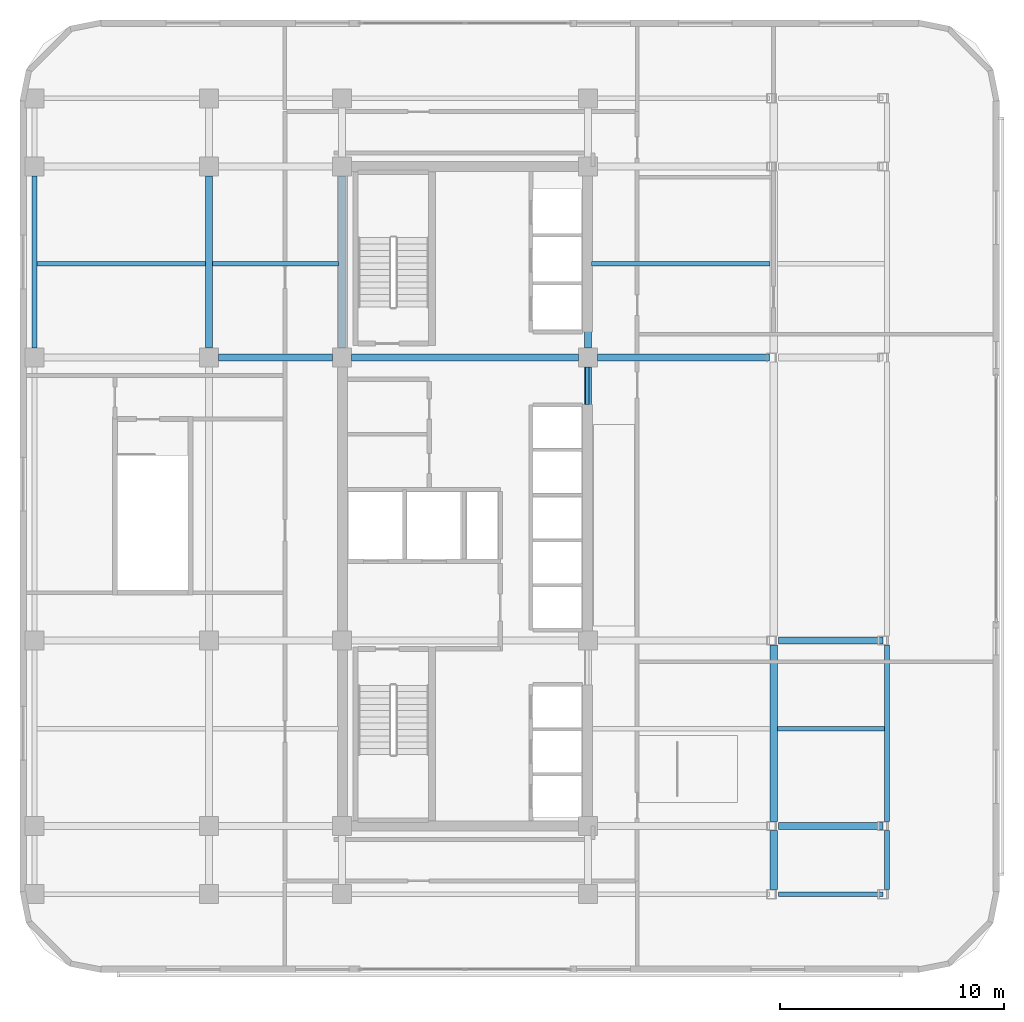
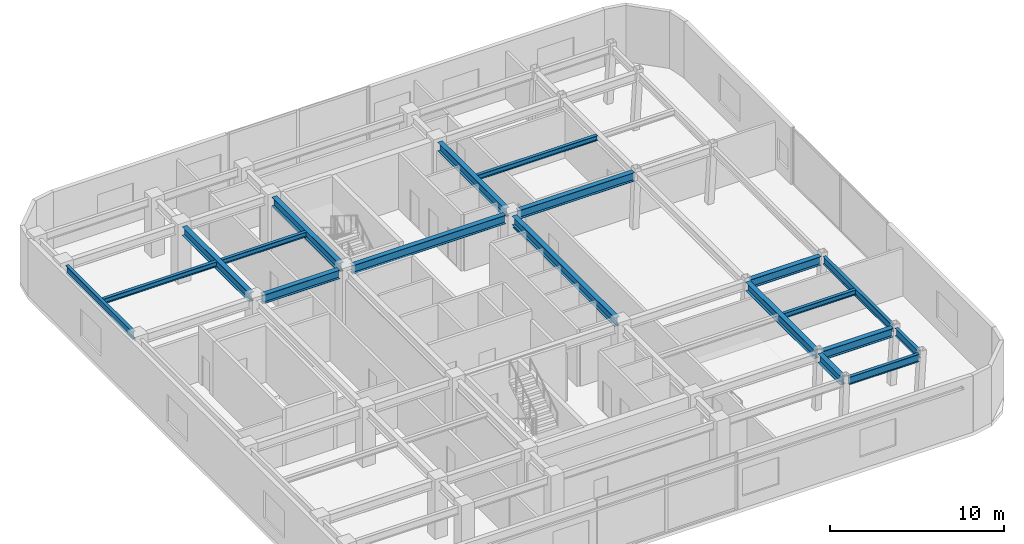
# One storey, part 3 of 13: 20 beams.
"""IFC4 building model written with IfcOpenShell, lengths in metres."""

from ifc_helpers import new_model, si_unit, direction, frame, origin, origin_2d, place, context, subcontext, project, spatial, i_section, extrude, material, material_profile, profile_set, type_object, element, save


model = new_model("IFC4")

# Units and contexts
model_context = context("Model", 3, precision=1e-05, world=origin(), true_north=direction((0.0, 1.0)))
body_context = subcontext(model_context, "Body", "Model", "MODEL_VIEW")
ifc_project = project(units=[si_unit("LENGTHUNIT", "METRE"), si_unit("AREAUNIT", "SQUARE_METRE"), si_unit("VOLUMEUNIT", "CUBIC_METRE"), si_unit("PLANEANGLEUNIT", "RADIAN"), si_unit("MASSUNIT", "GRAM", prefix="KILO")], contexts=[model_context])

# Site, building, storey
site_placement = place(None, origin())
site = spatial("IfcSite", under=ifc_project, at=site_placement, CompositionType="ELEMENT")
building_placement = place(site_placement, origin())
building = spatial("IfcBuilding", under=site, at=building_placement, Name="Ochreholt Gables", CompositionType="ELEMENT")
storey_placement = place(building_placement, frame((0.0, 0.0, 98.39990234375)))
storey = spatial("IfcBuildingStorey", under=building, at=storey_placement, Name="L25", CompositionType="ELEMENT", Elevation=98.39990234375)

# Beams
ifc_material = material(Name="Steel CSA G40.21 350W", Category="steel")
ifc_material_profile_1 = material_profile(ifc_material, i_section(OverallWidth=0.323974609375, OverallDepth=0.611083984375, WebThickness=0.0126953125, FlangeThickness=0.01904296875, at=origin_2d()), Name="W610X155")
ifc_profile_set_1 = profile_set([ifc_material_profile_1], Name="Steel CSA G40.21 350W")
beam_type_1 = type_object("IfcBeamType", Name="BM-G-W610A", PredefinedType="BEAM", material=ifc_profile_set_1)
for number, where, z_axis, x_axis, name in (
    (1, (43.7294921875, 9.25, 3.654541015625), (1.0, 0.0, 0.0), (0.0, 1.0, 0.0), "L25 Beam TBG-L25-EMEE-Y2"),
    (2, (43.7294921875, 17.550048828125, 3.654541015625), (1.0, 0.0, 0.0), (0.0, 1.0, 0.0), "L25 Beam TBG-L25-EMEE-Y3"),
):
    element("IfcBeam", number, at=place(storey_placement, frame(where, z_axis=z_axis, x_axis=x_axis)), inside=storey, type_object=beam_type_1, Name=name, PredefinedType="BEAM", context=body_context, shape_type="SweptSolid", body=[
        extrude(i_section(OverallWidth=0.323974609375, OverallDepth=0.611083984375, WebThickness=0.0126953125, FlangeThickness=0.01904296875, at=origin_2d()), origin(), (0.0, 0.0, 1.0), 4.675537109375),
    ])
beam_1_placement = place(storey_placement, frame((18.674560546875, 30.199951171875, 3.654541015625), z_axis=(1.0, 0.0, 0.0), x_axis=(0.0, 1.0, 0.0)))
element("IfcBeam", 3, at=beam_1_placement, inside=storey, type_object=beam_type_1, Name="L25 Beam TBG-L25-W3C1-Y4", PredefinedType="BEAM", context=body_context, shape_type="SweptSolid", body=[
    extrude(i_section(OverallWidth=0.323974609375, OverallDepth=0.611083984375, WebThickness=0.0126953125, FlangeThickness=0.01904296875, at=origin_2d()), origin(), (0.0, 0.0, 1.0), 5.100830078125),
])
beam_2_placement = place(storey_placement, frame((24.62451171875, 30.199951171875, 3.654541015625), z_axis=(1.0, 0.0, 0.0), x_axis=(0.0, 1.0, 0.0)))
element("IfcBeam", 4, at=beam_2_placement, inside=storey, type_object=beam_type_1, Name="L25 Beam TBG-L25-C1C2-Y4", PredefinedType="BEAM", context=body_context, shape_type="SweptSolid", body=[
    extrude(i_section(OverallWidth=0.323974609375, OverallDepth=0.611083984375, WebThickness=0.0126953125, FlangeThickness=0.01904296875, at=origin_2d()), origin(), (0.0, 0.0, 1.0), 10.15087890625),
])
beam_3_placement = place(storey_placement, frame((35.62451171875, 30.199951171875, 3.654541015625), z_axis=(1.0, 0.0, 0.0), x_axis=(0.0, 1.0, 0.0)))
element("IfcBeam", 5, at=beam_3_placement, inside=storey, type_object=beam_type_1, Name="L25 Beam TBG-L25-C2EM-Y4", PredefinedType="BEAM", context=body_context, shape_type="SweptSolid", body=[
    extrude(i_section(OverallWidth=0.323974609375, OverallDepth=0.611083984375, WebThickness=0.0126953125, FlangeThickness=0.01904296875, at=origin_2d()), origin(), (0.0, 0.0, 1.0), 7.699951171875),
])
for number, where, z_axis, x_axis, name in (
    (6, (18.25, 30.62451171875, 3.654541015625), (0.0, 1.0, 0.0), (-1.0, 0.0, 0.0), "L25 Beam TBN-L25-W3-Y4Y5"),
    (7, (24.199951171875, 30.62451171875, 3.654541015625), (0.0, 1.0, 0.0), (-1.0, 0.0, 0.0), "L25 Beam TBN-L25-C1-Y4Y5"),
):
    element("IfcBeam", number, at=place(storey_placement, frame(where, z_axis=z_axis, x_axis=x_axis)), inside=storey, type_object=beam_type_1, Name=name, PredefinedType="BEAM", context=body_context, shape_type="SweptSolid", body=[
        extrude(i_section(OverallWidth=0.323974609375, OverallDepth=0.611083984375, WebThickness=0.0126953125, FlangeThickness=0.01904296875, at=origin_2d()), origin(), (0.0, 0.0, 1.0), 7.700927734375),
    ])
beam_4_placement = place(storey_placement, frame((35.199951171875, 17.974609375, 3.654541015625), z_axis=(0.0, 1.0, 0.0), x_axis=(-1.0, 0.0, 0.0)))
element("IfcBeam", 8, at=beam_4_placement, inside=storey, type_object=beam_type_1, Name="L25 Beam TBN-L25-C2-Y3Y4", PredefinedType="BEAM", context=body_context, shape_type="SweptSolid", body=[
    extrude(i_section(OverallWidth=0.323974609375, OverallDepth=0.611083984375, WebThickness=0.0126953125, FlangeThickness=0.01904296875, at=origin_2d()), origin(), (0.0, 0.0, 1.0), 11.80078125),
])
beam_5_placement = place(storey_placement, frame((35.199951171875, 30.62451171875, 3.654541015625), z_axis=(0.0, 1.0, 0.0), x_axis=(-1.0, 0.0, 0.0)))
element("IfcBeam", 9, at=beam_5_placement, inside=storey, type_object=beam_type_1, Name="L25 Beam TBN-L25-C2-Y4Y5", PredefinedType="BEAM", context=body_context, shape_type="SweptSolid", body=[
    extrude(i_section(OverallWidth=0.323974609375, OverallDepth=0.611083984375, WebThickness=0.0126953125, FlangeThickness=0.01904296875, at=origin_2d()), origin(), (0.0, 0.0, 1.0), 7.700927734375),
])
beam_6_placement = place(storey_placement, frame((43.510009765625, 6.402587890625, 3.654541015625), z_axis=(0.0, 1.0, 0.0), x_axis=(-1.0, 0.0, 0.0)))
element("IfcBeam", 10, at=beam_6_placement, inside=storey, type_object=beam_type_1, Name="L25 Beam TBN-L25-EM-Y1Y2", PredefinedType="BEAM", context=body_context, shape_type="SweptSolid", body=[
    extrude(i_section(OverallWidth=0.323974609375, OverallDepth=0.611083984375, WebThickness=0.0126953125, FlangeThickness=0.01904296875, at=origin_2d()), origin(), (0.0, 0.0, 1.0), 2.644775390625),
])
beam_7_placement = place(storey_placement, frame((43.510009765625, 9.45263671875, 3.654541015625), z_axis=(0.0, 1.0, 0.0), x_axis=(-1.0, 0.0, 0.0)))
element("IfcBeam", 11, at=beam_7_placement, inside=storey, type_object=beam_type_1, Name="L25 Beam TBN-L25-EM-Y2Y3", PredefinedType="BEAM", context=body_context, shape_type="SweptSolid", body=[
    extrude(i_section(OverallWidth=0.323974609375, OverallDepth=0.611083984375, WebThickness=0.0126953125, FlangeThickness=0.01904296875, at=origin_2d()), origin(), (0.0, 0.0, 1.0), 7.894775390625),
])
ifc_material_profile_2 = material_profile(ifc_material, i_section(OverallWidth=0.205078125, OverallDepth=0.35400390625, WebThickness=0.009521484375, FlangeThickness=0.016845703125, at=origin_2d()), Name="W360X79")
ifc_profile_set_2 = profile_set([ifc_material_profile_2], Name="Steel CSA G40.21 350W")
beam_type_2 = type_object("IfcBeamType", Name="BM-J-W360A", PredefinedType="JOIST", material=ifc_profile_set_2)
beam_8_placement = place(storey_placement, frame((43.67138671875, 13.60009765625, 3.783203125), z_axis=(1.0, 0.0, 0.0), x_axis=(0.0, 1.0, 0.0)))
element("IfcBeam", 12, at=beam_8_placement, inside=storey, type_object=beam_type_2, Name="L25 Beam TBJ-L25-J1-EMEE", PredefinedType="JOIST", context=body_context, shape_type="SweptSolid", body=[
    extrude(i_section(OverallWidth=0.205078125, OverallDepth=0.35400390625, WebThickness=0.009521484375, FlangeThickness=0.016845703125, at=origin_2d()), origin(), (0.0, 0.0, 1.0), 4.8037109375),
])
beam_9_placement = place(storey_placement, frame((10.55419921875, 34.39990234375, 3.783203125), z_axis=(1.0, 0.0, 0.0), x_axis=(0.0, 1.0, 0.0)))
element("IfcBeam", 13, at=beam_9_placement, inside=storey, type_object=beam_type_2, Name="L25 Beam TBJ-L25-J2-W2W3", PredefinedType="JOIST", context=body_context, shape_type="SweptSolid", body=[
    extrude(i_section(OverallWidth=0.205078125, OverallDepth=0.35400390625, WebThickness=0.009521484375, FlangeThickness=0.016845703125, at=origin_2d()), origin(), (0.0, 0.0, 1.0), 7.5341796875),
])
beam_10_placement = place(storey_placement, frame((18.41162109375, 34.39990234375, 3.783203125), z_axis=(1.0, 0.0, 0.0), x_axis=(0.0, 1.0, 0.0)))
element("IfcBeam", 14, at=beam_10_placement, inside=storey, type_object=beam_type_2, Name="L25 Beam TBJ-L25-J2-W3C1", PredefinedType="JOIST", context=body_context, shape_type="SweptSolid", body=[
    extrude(i_section(OverallWidth=0.205078125, OverallDepth=0.35400390625, WebThickness=0.009521484375, FlangeThickness=0.016845703125, at=origin_2d()), origin(), (0.0, 0.0, 1.0), 5.626708984375),
])
beam_11_placement = place(storey_placement, frame((35.361572265625, 34.39990234375, 3.783203125), z_axis=(1.0, 0.0, 0.0), x_axis=(0.0, 1.0, 0.0)))
element("IfcBeam", 15, at=beam_11_placement, inside=storey, type_object=beam_type_2, Name="L25 Beam TBJ-L25-J2-C2EM", PredefinedType="JOIST", context=body_context, shape_type="SweptSolid", body=[
    extrude(i_section(OverallWidth=0.205078125, OverallDepth=0.35400390625, WebThickness=0.009521484375, FlangeThickness=0.016845703125, at=origin_2d()), origin(), (0.0, 0.0, 1.0), 7.98681640625),
])
ifc_material_profile_3 = material_profile(ifc_material, i_section(OverallWidth=0.1650390625, OverallDepth=0.200927734375, WebThickness=0.006103515625, FlangeThickness=0.01025390625, at=origin_2d()), Name="W200X36")
ifc_profile_set_3 = profile_set([ifc_material_profile_3], Name="Steel CSA G40.21 350W")
beam_type_3 = type_object("IfcBeamType", Name="BM-LIN-W200", PredefinedType="LINTEL", material=ifc_profile_set_3)
beam_12_placement = place(storey_placement, frame((35.175048828125, 28.10009765625, 3.24853515625), z_axis=(0.0, 1.0, 0.0), x_axis=(-1.0, 0.0, 0.0)))
element("IfcBeam", 16, at=beam_12_placement, inside=storey, type_object=beam_type_3, Name="L25 Core Coupling Lintel CPN", PredefinedType="LINTEL", context=body_context, shape_type="SweptSolid", body=[
    extrude(i_section(OverallWidth=0.1650390625, OverallDepth=0.200927734375, WebThickness=0.006103515625, FlangeThickness=0.01025390625, at=origin_2d()), origin(), (0.0, 0.0, 1.0), 1.6748046875),
])
ifc_material_profile_4 = material_profile(ifc_material, i_section(OverallWidth=0.208984375, OverallDepth=0.532958984375, WebThickness=0.01025390625, FlangeThickness=0.015625, at=origin_2d()), Name="W530X92")
ifc_profile_set_4 = profile_set([ifc_material_profile_4], Name="Steel CSA G40.21 350W")
beam_type_4 = type_object("IfcBeamType", Name="BM-SP-W530B", PredefinedType="SPANDREL", material=ifc_profile_set_4)
beam_13_placement = place(storey_placement, frame((43.7294921875, 6.199951171875, 3.693603515625), z_axis=(1.0, 0.0, 0.0), x_axis=(0.0, 1.0, 0.0)))
element("IfcBeam", 17, at=beam_13_placement, inside=storey, type_object=beam_type_4, Name="L25 Beam TBG-L25-EMEE-Y1", PredefinedType="SPANDREL", context=body_context, shape_type="SweptSolid", body=[
    extrude(i_section(OverallWidth=0.208984375, OverallDepth=0.532958984375, WebThickness=0.01025390625, FlangeThickness=0.015625, at=origin_2d()), origin(), (0.0, 0.0, 1.0), 4.675537109375),
])
beam_14_placement = place(storey_placement, frame((10.449951171875, 30.62451171875, 3.693603515625), z_axis=(0.0, 1.0, 0.0), x_axis=(-1.0, 0.0, 0.0)))
element("IfcBeam", 18, at=beam_14_placement, inside=storey, type_object=beam_type_4, Name="L25 Beam TBN-L25-W2-Y4Y5", PredefinedType="SPANDREL", context=body_context, shape_type="SweptSolid", body=[
    extrude(i_section(OverallWidth=0.208984375, OverallDepth=0.532958984375, WebThickness=0.01025390625, FlangeThickness=0.015625, at=origin_2d()), origin(), (0.0, 0.0, 1.0), 7.700927734375),
])
beam_15_placement = place(storey_placement, frame((48.5791015625, 6.402587890625, 3.693603515625), z_axis=(0.0, 1.0, 0.0), x_axis=(-1.0, 0.0, 0.0)))
element("IfcBeam", 19, at=beam_15_placement, inside=storey, type_object=beam_type_4, Name="L25 Beam TBN-L25-EE-Y1Y2", PredefinedType="SPANDREL", context=body_context, shape_type="SweptSolid", body=[
    extrude(i_section(OverallWidth=0.208984375, OverallDepth=0.532958984375, WebThickness=0.01025390625, FlangeThickness=0.015625, at=origin_2d()), origin(), (0.0, 0.0, 1.0), 2.644775390625),
])
beam_16_placement = place(storey_placement, frame((48.5791015625, 9.45263671875, 3.693603515625), z_axis=(0.0, 1.0, 0.0), x_axis=(-1.0, 0.0, 0.0)))
element("IfcBeam", 20, at=beam_16_placement, inside=storey, type_object=beam_type_4, Name="L25 Beam TBN-L25-EE-Y2Y3", PredefinedType="SPANDREL", context=body_context, shape_type="SweptSolid", body=[
    extrude(i_section(OverallWidth=0.208984375, OverallDepth=0.532958984375, WebThickness=0.01025390625, FlangeThickness=0.015625, at=origin_2d()), origin(), (0.0, 0.0, 1.0), 7.894775390625),
])

save(model, "model.ifc")
